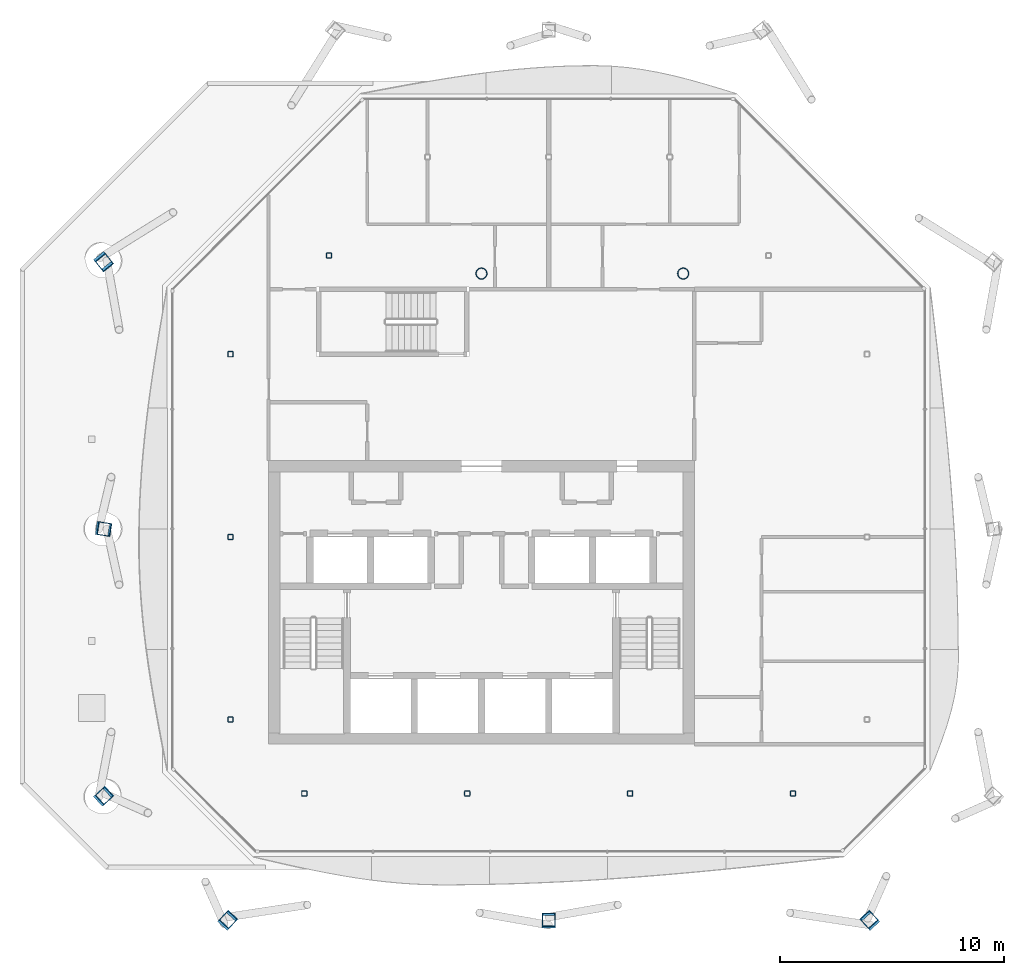
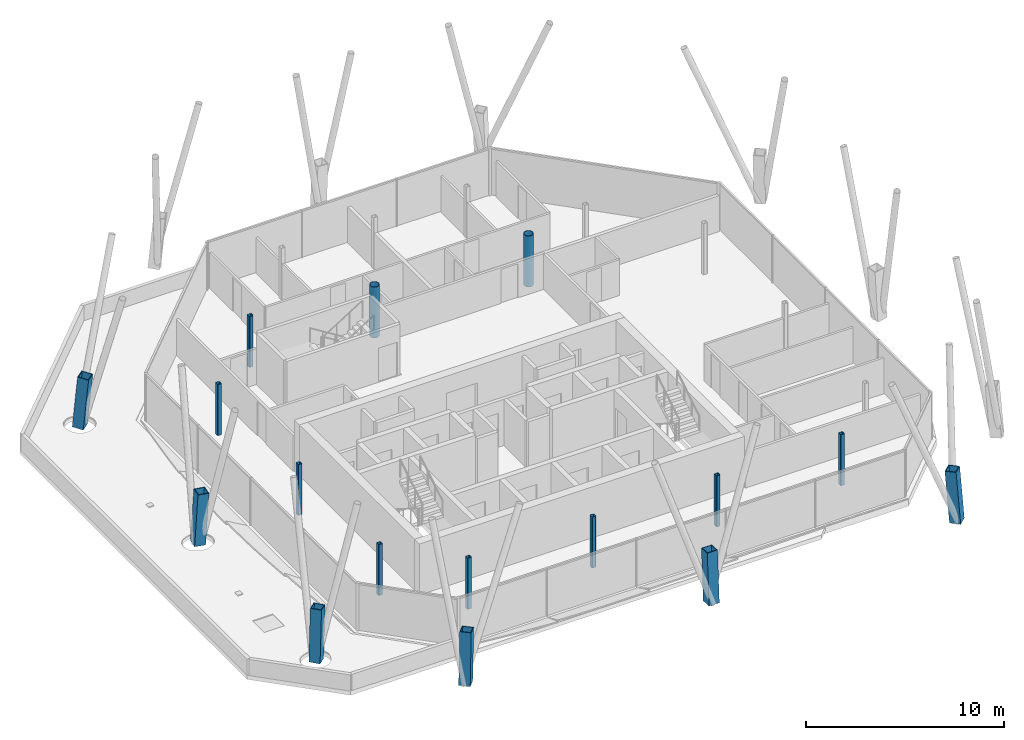
# One storey, part 1 of 17: 16 columns.
"""IFC4 building model written with IfcOpenShell, lengths in metres."""

from ifc_helpers import new_model, si_unit, direction, frame, origin, origin_2d, place, context, subcontext, project, spatial, hollow_rectangle, hollow_circle, extrude, material, material_profile, profile_set, type_object, element, save


model = new_model("IFC4")

# Units and contexts
model_context = context("Model", 3, precision=1e-05, world=origin(), true_north=direction((0.0, 1.0)))
body_context = subcontext(model_context, "Body", "Model", "MODEL_VIEW")
ifc_project = project(units=[si_unit("LENGTHUNIT", "METRE"), si_unit("AREAUNIT", "SQUARE_METRE"), si_unit("VOLUMEUNIT", "CUBIC_METRE"), si_unit("PLANEANGLEUNIT", "RADIAN"), si_unit("MASSUNIT", "GRAM", prefix="KILO")], contexts=[model_context])

# Site, building, storey
site_placement = place(None, origin())
site = spatial("IfcSite", under=ifc_project, at=site_placement, CompositionType="ELEMENT")
building_placement = place(site_placement, origin())
building = spatial("IfcBuilding", under=site, at=building_placement, Name="Tskaro Facet Tower", CompositionType="ELEMENT")
storey_placement = place(building_placement, frame((0.0, 0.0, 259.5)))
storey = spatial("IfcBuildingStorey", under=building, at=storey_placement, Name="L68", CompositionType="ELEMENT", Elevation=259.5)

# Columns
ifc_material_1 = material(Name="Steel S355J2", Category="steel")
ifc_material_profile_1 = material_profile(ifc_material_1, hollow_rectangle(XDim=0.60009765625, YDim=0.60009765625, WallThickness=0.0400390625, at=origin_2d()), Name="BOX 600x600x40")
ifc_profile_set_1 = profile_set([ifc_material_profile_1], Name="Steel S355J2")
column_type_1 = type_object("IfcColumnType", Name="BOX 600x600x40 mega column", PredefinedType="COLUMN", material=ifc_profile_set_1)
column_1_placement = place(storey_placement, frame((-11.35498046875, -19.89306640625, 0.0), z_axis=(0.052851719252, 0.057951446548, 0.996919417814), x_axis=(-0.738869281565, 0.673848784787, 0.0)))
element("IfcColumn", 1, at=column_1_placement, inside=storey, type_object=column_type_1, Name="BOX 600x600x40 MC01/6", PredefinedType="COLUMN", context=body_context, shape_type="SweptSolid", body=[
    extrude(hollow_rectangle(XDim=0.60009765625, YDim=0.60009765625, WallThickness=0.0400390625, at=origin_2d()), origin(), (0.0, 0.0, 1.0), 3.15966796875),
])
column_2_placement = place(storey_placement, frame((3.0, -19.89306640625, 0.0), z_axis=(0.0, 0.058032554517, 0.998314691175), x_axis=(-1.0, 0.0, 0.0)))
element("IfcColumn", 2, at=column_2_placement, inside=storey, type_object=column_type_1, Name="BOX 600x600x40 MC02/6", PredefinedType="COLUMN", context=body_context, shape_type="SweptSolid", body=[
    extrude(hollow_rectangle(XDim=0.60009765625, YDim=0.60009765625, WallThickness=0.0400390625, at=origin_2d()), origin(), (0.0, 0.0, 1.0), 3.1552734375),
])
column_3_placement = place(storey_placement, frame((17.35498046875, -19.89306640625, 0.0), z_axis=(-0.052851719252, 0.057951446548, 0.996919417814), x_axis=(-0.738869281565, -0.673848784787, 0.0)))
element("IfcColumn", 3, at=column_3_placement, inside=storey, type_object=column_type_1, Name="BOX 600x600x40 MC03/6", PredefinedType="COLUMN", context=body_context, shape_type="SweptSolid", body=[
    extrude(hollow_rectangle(XDim=0.60009765625, YDim=0.60009765625, WallThickness=0.0400390625, at=origin_2d()), origin(), (0.0, 0.0, 1.0), 3.15966796875),
])
column_4_placement = place(storey_placement, frame((-16.89306640625, 9.572021484375, 0.0), z_axis=(0.057884160553, -0.071467643563, 0.995761919276), x_axis=(0.777088504756, 0.629391337545, 0.0)))
element("IfcColumn", 4, at=column_4_placement, inside=storey, type_object=column_type_1, Name="BOX 600x600x40 MC10/6", PredefinedType="COLUMN", context=body_context, shape_type="SweptSolid", body=[
    extrude(hollow_rectangle(XDim=0.60009765625, YDim=0.60009765625, WallThickness=0.0400390625, at=origin_2d()), origin(), (0.0, 0.0, 1.0), 3.163330078125),
])
column_5_placement = place(storey_placement, frame((-16.89306640625, -2.39208984375, 0.0), z_axis=(0.05803013572, -0.009130074687, 0.998273081418), x_axis=(0.155421458417, 0.98784825265, 0.0)))
element("IfcColumn", 5, at=column_5_placement, inside=storey, type_object=column_type_1, Name="BOX 600x600x40 MC11/6", PredefinedType="COLUMN", context=body_context, shape_type="SweptSolid", body=[
    extrude(hollow_rectangle(XDim=0.60009765625, YDim=0.60009765625, WallThickness=0.0400390625, at=origin_2d()), origin(), (0.0, 0.0, 1.0), 3.1552734375),
])
column_6_placement = place(storey_placement, frame((-16.89306640625, -14.35498046875, 0.0), z_axis=(0.057951446548, 0.052851719252, 0.996919417814), x_axis=(-0.673848784787, 0.738869281565, 0.0)))
element("IfcColumn", 6, at=column_6_placement, inside=storey, type_object=column_type_1, Name="BOX 600x600x40 MC12/6", PredefinedType="COLUMN", context=body_context, shape_type="SweptSolid", body=[
    extrude(hollow_rectangle(XDim=0.60009765625, YDim=0.60009765625, WallThickness=0.0400390625, at=origin_2d()), origin(), (0.0, 0.0, 1.0), 3.15966796875),
])
ifc_material_2 = material(Name="Steel S355J2H", Category="steel")
ifc_material_profile_2 = material_profile(ifc_material_2, hollow_circle(Radius=0.25390625, WallThickness=0.02490234375, at=origin_2d()), Name="CHS 508x25")
ifc_profile_set_2 = profile_set([ifc_material_profile_2], Name="Steel S355J2H")
column_type_2 = type_object("IfcColumnType", Name="CHS 508x25 interior column", PredefinedType="COLUMN", material=ifc_profile_set_2)
for number, where, z_axis, x_axis, name in (
    (7, (0.0, 9.0, 0.0), (0.0, 0.0, 1.0), (1.0, 0.0, 0.0), "CHS 508x25 C4E/6"),
    (8, (9.0, 9.0, 0.0), (0.0, 0.0, 1.0), (1.0, 0.0, 0.0), "CHS 508x25 C5E/6"),
):
    element("IfcColumn", number, at=place(storey_placement, frame(where, z_axis=z_axis, x_axis=x_axis)), inside=storey, type_object=column_type_2, Name=name, PredefinedType="COLUMN", context=body_context, shape_type="SweptSolid", body=[
        extrude(hollow_circle(Radius=0.25390625, WallThickness=0.02490234375, at=origin_2d()), origin(), (0.0, 0.0, 1.0), 3.14990234375),
    ])
ifc_material_profile_3 = material_profile(ifc_material_2, hollow_rectangle(XDim=0.25, YDim=0.25, WallThickness=0.02001953125, InnerFilletRadius=0.030029296875, OuterFilletRadius=0.050048828125, at=origin_2d()), Name="SHS 250x250x20")
ifc_profile_set_3 = profile_set([ifc_material_profile_3], Name="Steel S355J2H")
column_type_3 = type_object("IfcColumnType", Name="SHS 250x250x20 ring column", PredefinedType="COLUMN", material=ifc_profile_set_3)
for number, where, z_axis, x_axis, name in (
    (9, (-7.903076171875, -14.199951171875, 0.0), (0.0, 0.0, 1.0), (1.0, 0.0, 0.0), "SHS 250x250x20 RS-1/6"),
    (10, (-0.634033203125, -14.199951171875, 0.0), (0.0, 0.0, 1.0), (1.0, 0.0, 0.0), "SHS 250x250x20 RS-2/6"),
    (11, (6.634033203125, -14.199951171875, 0.0), (0.0, 0.0, 1.0), (1.0, 0.0, 0.0), "SHS 250x250x20 RS-3/6"),
    (12, (13.903076171875, -14.199951171875, 0.0), (0.0, 0.0, 1.0), (1.0, 0.0, 0.0), "SHS 250x250x20 RSE-1/6"),
    (13, (-6.801025390625, 9.801025390625, 0.0), (0.0, 0.0, 1.0), (1.0, 0.0, 0.0), "SHS 250x250x20 RNW-2/6"),
    (14, (-11.199951171875, 5.403076171875, 0.0), (0.0, 0.0, 1.0), (1.0, 0.0, 0.0), "SHS 250x250x20 RW-1/6"),
    (15, (-11.199951171875, -2.75, 0.0), (0.0, 0.0, 1.0), (1.0, 0.0, 0.0), "SHS 250x250x20 RW-2/6"),
    (16, (-11.199951171875, -10.903076171875, 0.0), (0.0, 0.0, 1.0), (1.0, 0.0, 0.0), "SHS 250x250x20 RSW-1/6"),
):
    element("IfcColumn", number, at=place(storey_placement, frame(where, z_axis=z_axis, x_axis=x_axis)), inside=storey, type_object=column_type_3, Name=name, PredefinedType="COLUMN", context=body_context, shape_type="SweptSolid", body=[
        extrude(hollow_rectangle(XDim=0.25, YDim=0.25, WallThickness=0.02001953125, InnerFilletRadius=0.030029296875, OuterFilletRadius=0.050048828125, at=origin_2d()), origin(), (0.0, 0.0, 1.0), 3.14990234375),
    ])

save(model, "model.ifc")
